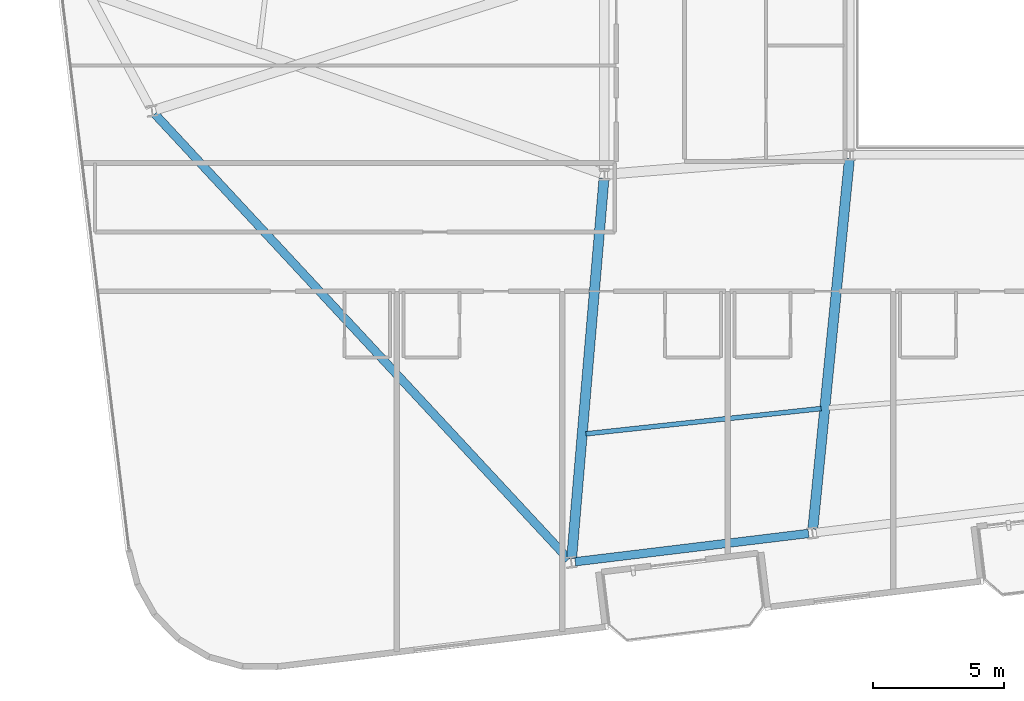
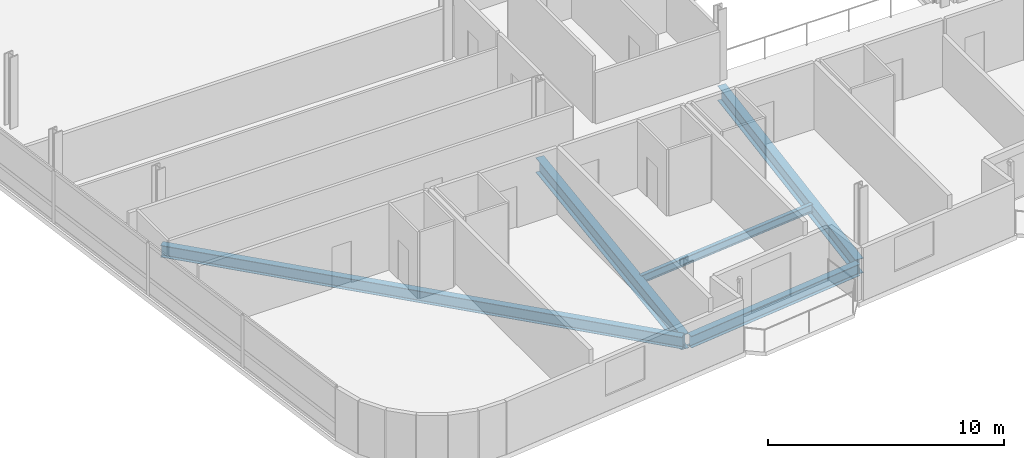
# One storey, part 3 of 23: 5 beams.
"""IFC4 building model written with IfcOpenShell, lengths in metres."""

from ifc_helpers import new_model, si_unit, direction, frame, origin, origin_2d, place, context, subcontext, project, spatial, i_section, extrude, material, material_profile, profile_set, type_object, element, save


model = new_model("IFC4")

# Units and contexts
model_context = context("Model", 3, precision=1e-05, world=origin(), true_north=direction((0.0, 1.0)))
body_context = subcontext(model_context, "Body", "Model", "MODEL_VIEW")
ifc_project = project(units=[si_unit("LENGTHUNIT", "METRE"), si_unit("AREAUNIT", "SQUARE_METRE"), si_unit("VOLUMEUNIT", "CUBIC_METRE"), si_unit("PLANEANGLEUNIT", "RADIAN"), si_unit("MASSUNIT", "GRAM", prefix="KILO")], contexts=[model_context])

# Site, building, storey
site_placement = place(None, origin())
site = spatial("IfcSite", under=ifc_project, at=site_placement, CompositionType="ELEMENT")
building_placement = place(site_placement, origin())
building = spatial("IfcBuilding", under=site, at=building_placement, Name="Varnelok Gate Tower", CompositionType="ELEMENT")
storey_placement = place(building_placement, frame((0.0, 0.0, 200.5)))
storey = spatial("IfcBuildingStorey", under=building, at=storey_placement, Name="L51", CompositionType="ELEMENT", Elevation=200.5)

# Beams
ifc_material = material(Name="Structural Steel ASTM A992 Grade 50", Category="steel")
ifc_material_profile_1 = material_profile(ifc_material, i_section(OverallWidth=0.180908203125, OverallDepth=0.4169921875, WebThickness=0.010986328125, FlangeThickness=0.018310546875, FilletRadius=0.013916015625, at=origin_2d()), Name="W16X57")
ifc_profile_set_1 = profile_set([ifc_material_profile_1], Name="Structural Steel ASTM A992 Grade 50")
beam_type_1 = type_object("IfcBeamType", Name="BM-JST-W16X57", PredefinedType="JOIST", material=ifc_profile_set_1)
beam_1_placement = place(storey_placement, frame((23.69677734375, 8.921142578125, -0.45849609375), z_axis=(0.994268698823, 0.106910030126, 0.0), x_axis=(-0.106910030126, 0.994268698823, 0.0)))
element("IfcBeam", 1, at=beam_1_placement, inside=storey, type_object=beam_type_1, Name="L51 Sector Floor Joist 1", PredefinedType="JOIST", context=body_context, shape_type="SweptSolid", body=[
    extrude(i_section(OverallWidth=0.180908203125, OverallDepth=0.4169921875, WebThickness=0.010986328125, FlangeThickness=0.018310546875, FilletRadius=0.013916015625, at=origin_2d()), origin(), (0.0, 0.0, 1.0), 9.01123046875),
])
ifc_material_profile_2 = material_profile(ifc_material, i_section(OverallWidth=0.381103515625, OverallDepth=0.77294921875, WebThickness=0.0166015625, FlangeThickness=0.027099609375, FilletRadius=0.02197265625, at=origin_2d()), Name="W30X173")
ifc_profile_set_2 = profile_set([ifc_material_profile_2], Name="Structural Steel ASTM A992 Grade 50")
beam_type_2 = type_object("IfcBeamType", Name="BM-PRI-W30X173", PredefinedType="BEAM", material=ifc_profile_set_2)
beam_2_placement = place(storey_placement, frame((24.38720703125, 18.650390625, -0.636474609375), z_axis=(-0.08482646823, -0.996395739798, 0.0), x_axis=(0.996395739798, -0.08482646823, 0.0)))
element("IfcBeam", 2, at=beam_2_placement, inside=storey, type_object=beam_type_2, Name="L51 Radial Floor Girder 1", PredefinedType="BEAM", context=body_context, shape_type="SweptSolid", body=[
    extrude(i_section(OverallWidth=0.381103515625, OverallDepth=0.77294921875, WebThickness=0.0166015625, FlangeThickness=0.027099609375, FilletRadius=0.02197265625, at=origin_2d()), origin(), (0.0, 0.0, 1.0), 14.52001953125),
])
beam_3_placement = place(storey_placement, frame((33.735107421875, 19.400634765625, -0.636474609375), z_axis=(-0.098420734253, -0.995144893505, 0.0), x_axis=(0.995144893505, -0.098420734253, 0.0)))
element("IfcBeam", 3, at=beam_3_placement, inside=storey, type_object=beam_type_2, Name="L51 Radial Floor Girder 2", PredefinedType="BEAM", context=body_context, shape_type="SweptSolid", body=[
    extrude(i_section(OverallWidth=0.381103515625, OverallDepth=0.77294921875, WebThickness=0.0166015625, FlangeThickness=0.027099609375, FilletRadius=0.02197265625, at=origin_2d()), origin(), (0.0, 0.0, 1.0), 14.174072265625),
])
ifc_material_profile_3 = material_profile(ifc_material, i_section(OverallWidth=0.323974609375, OverallDepth=0.611083984375, WebThickness=0.0126953125, FlangeThickness=0.01904296875, FilletRadius=0.01806640625, at=origin_2d()), Name="W24X104")
ifc_profile_set_3 = profile_set([ifc_material_profile_3], Name="Structural Steel ASTM A992 Grade 50")
beam_type_3 = type_object("IfcBeamType", Name="BM-SPN-W24X104", PredefinedType="SPANDREL", material=ifc_profile_set_3)
beam_4_placement = place(storey_placement, frame((23.29150390625, 4.051025390625, -0.555419921875), z_axis=(0.99273141198, 0.120350918849, 0.0), x_axis=(-0.120350918849, 0.99273141198, 0.0)))
element("IfcBeam", 4, at=beam_4_placement, inside=storey, type_object=beam_type_3, Name="L51 Perimeter Spandrel Beam 1", PredefinedType="SPANDREL", context=body_context, shape_type="SweptSolid", body=[
    extrude(i_section(OverallWidth=0.323974609375, OverallDepth=0.611083984375, WebThickness=0.0126953125, FlangeThickness=0.01904296875, FilletRadius=0.01806640625, at=origin_2d()), origin(), (0.0, 0.0, 1.0), 8.949951171875),
])
beam_5_placement = place(storey_placement, frame((7.27685546875, 21.106201171875, -0.555419921875), z_axis=(0.680728456616, -0.732535847828, 0.0), x_axis=(0.732535847828, 0.680728456616, 0.0)))
element("IfcBeam", 5, at=beam_5_placement, inside=storey, type_object=beam_type_3, Name="L51 Perimeter Spandrel Beam 16", PredefinedType="SPANDREL", context=body_context, shape_type="SweptSolid", body=[
    extrude(i_section(OverallWidth=0.323974609375, OverallDepth=0.611083984375, WebThickness=0.0126953125, FlangeThickness=0.01904296875, FilletRadius=0.01806640625, at=origin_2d()), origin(), (0.0, 0.0, 1.0), 23.156982421875),
])

save(model, "model.ifc")
